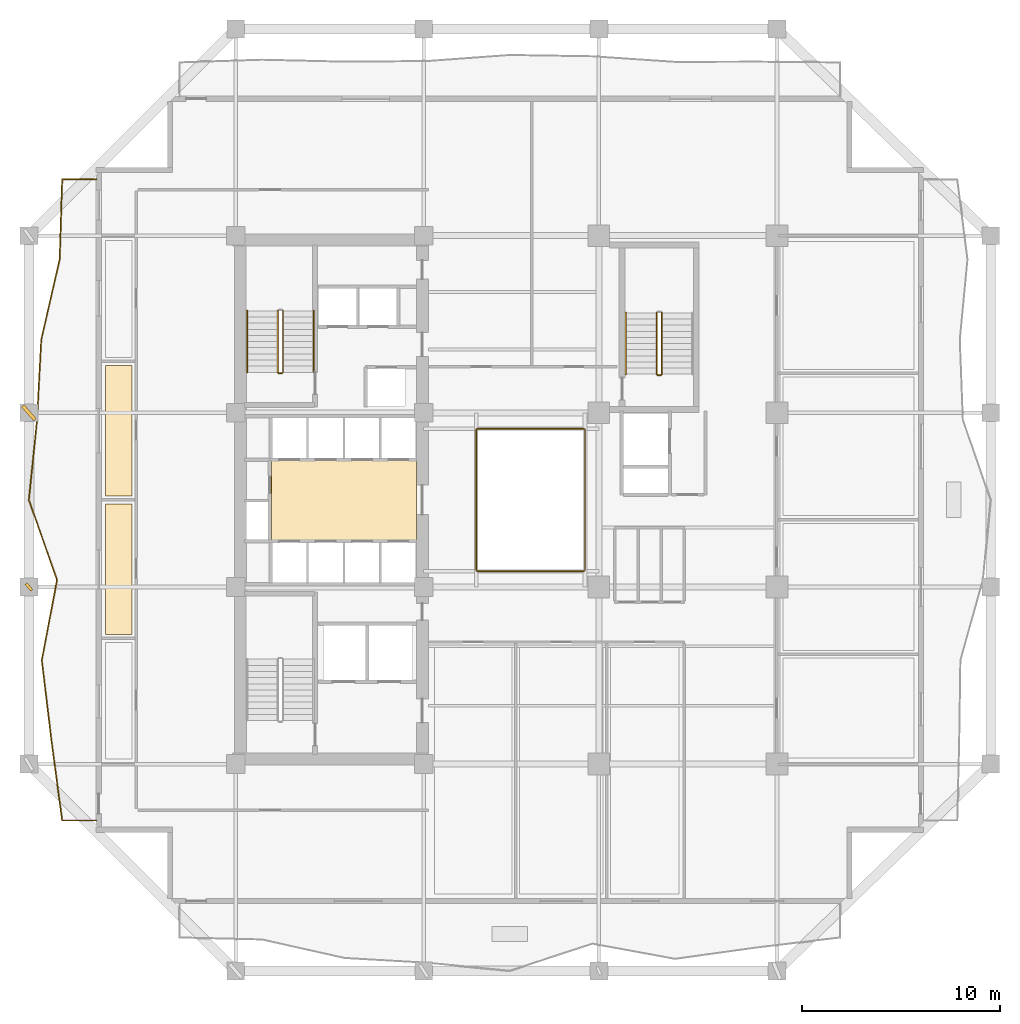
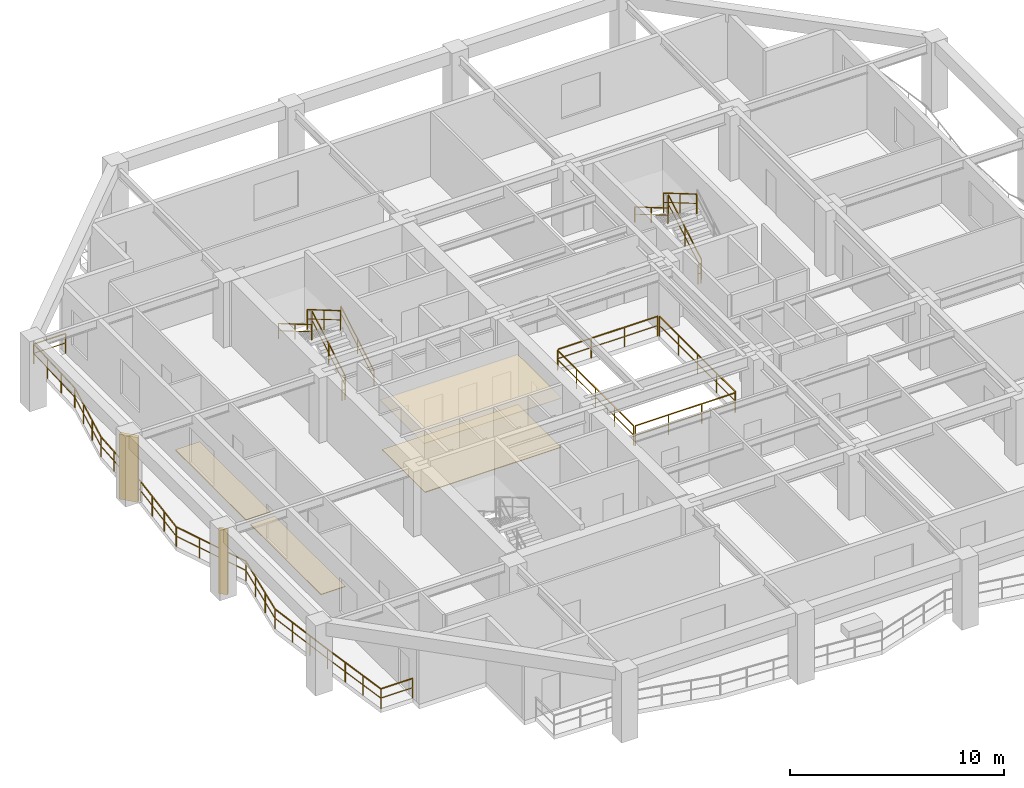
# One storey, part 8 of 11: 14 railings, 4 coverings, 2 shading devices.
"""IFC4 building model written with IfcOpenShell, lengths in metres."""

from ifc_helpers import new_model, si_unit, direction, frame, origin, origin_2d, place, context, subcontext, project, spatial, polyline, rectangle, outline, extrude, material, layer, layer_set, type_object, element, save


model = new_model("IFC4")

# Units and contexts
model_context = context("Model", 3, precision=1e-05, world=origin(), true_north=direction((0.0, 1.0)))
body_context = subcontext(model_context, "Body", "Model", "MODEL_VIEW")
ifc_project = project(units=[si_unit("LENGTHUNIT", "METRE"), si_unit("AREAUNIT", "SQUARE_METRE"), si_unit("VOLUMEUNIT", "CUBIC_METRE"), si_unit("PLANEANGLEUNIT", "RADIAN"), si_unit("MASSUNIT", "GRAM", prefix="KILO")], contexts=[model_context])

# Site, building, storey
site_placement = place(None, origin())
site = spatial("IfcSite", under=ifc_project, at=site_placement, CompositionType="ELEMENT")
building_placement = place(site_placement, origin())
building = spatial("IfcBuilding", under=site, at=building_placement, Name="Kundavana Baori Tower", CompositionType="ELEMENT")
storey_placement = place(building_placement, frame((0.0, 0.0, 90.0)))
storey = spatial("IfcBuildingStorey", under=building, at=storey_placement, Name="L21", CompositionType="ELEMENT", Elevation=90.0)

# Coverings
ifc_material_1 = material(Name="Honed Kota Stone and Terrazzo Flooring", Category="masonry")
ifc_layer_1 = layer(ifc_material_1, 0.0400390625, Name="COV-FLR-TERR-40")
ifc_layer_set_1 = layer_set([ifc_layer_1], Name="Honed Kota Stone and Terrazzo Flooring")
covering_type_1 = type_object("IfcCoveringType", Name="COV-FLR-TERR-40", PredefinedType="FLOORING", material=ifc_layer_set_1)
covering_1_placement = place(storey_placement, origin())
element("IfcCovering", 1, at=covering_1_placement, inside=storey, type_object=covering_type_1, Name="L21 Room Finished Stone Flooring 2", PredefinedType="FLOORING", context=body_context, shape_type="SweptSolid", body=[
    extrude(outline(polyline([(8.8798828125, 21.800048828125), (10.199951171875, 21.800048828125), (10.199951171875, 28.39990234375), (8.8798828125, 28.39990234375), (8.8798828125, 21.800048828125)])), origin(), (0.0, 0.0, 1.0), 0.0400390625),
])
covering_2_placement = place(storey_placement, origin())
element("IfcCovering", 2, at=covering_2_placement, inside=storey, type_object=covering_type_1, Name="L21 Room Finished Stone Flooring 3", PredefinedType="FLOORING", context=body_context, shape_type="SweptSolid", body=[
    extrude(outline(polyline([(8.8798828125, 28.800048828125), (10.199951171875, 28.800048828125), (10.199951171875, 35.39990234375), (8.8798828125, 35.39990234375), (8.8798828125, 28.800048828125)])), origin(), (0.0, 0.0, 1.0), 0.0400390625),
])
covering_3_placement = place(storey_placement, origin())
element("IfcCovering", 3, at=covering_3_placement, inside=storey, type_object=covering_type_1, Name="L21 Core Lift Lobby Kota Stone Flooring", PredefinedType="FLOORING", context=body_context, shape_type="SweptSolid", body=[
    extrude(outline(polyline([(17.25, 26.580078125), (24.580078125, 26.580078125), (24.580078125, 30.60009765625), (17.25, 30.60009765625), (17.25, 26.580078125)])), origin(), (0.0, 0.0, 1.0), 0.0400390625),
])
ifc_material_2 = material(Name="Perforated Acoustic Mineral Fibre Ceiling Board")
ifc_layer_2 = layer(ifc_material_2, 0.02490234375, Name="COV-INT-CEIL")
ifc_layer_set_2 = layer_set([ifc_layer_2], Name="Perforated Acoustic Mineral Fibre Ceiling Board")
covering_type_2 = type_object("IfcCoveringType", Name="COV-INT-CEIL", PredefinedType="CEILING", material=ifc_layer_set_2)
covering_4_placement = place(storey_placement, frame((0.0, 0.0, 2.85009765625)))
element("IfcCovering", 4, at=covering_4_placement, inside=storey, type_object=covering_type_2, Name="L21 Core Lift Lobby Acoustic Ceiling", PredefinedType="CEILING", context=body_context, shape_type="SweptSolid", body=[
    extrude(outline(polyline([(17.159912109375, 26.52001953125), (24.580078125, 26.52001953125), (24.580078125, 30.639892578125), (17.159912109375, 30.639892578125), (17.159912109375, 26.52001953125)])), origin(), (0.0, 0.0, 1.0), 0.02490234375),
])

# Railings
ifc_material_3 = material(Name="Architectural Patinated Bronze Metalwork")
railing_type_1 = type_object("IfcRailingType", Name="RL-BAL-1150", PredefinedType="BALUSTRADE", material=ifc_material_3)
railing_1_placement = place(storey_placement, frame((8.39990234375, 12.39990234375, 0.0)))
element("IfcRailing", 5, at=railing_1_placement, inside=storey, type_object=railing_type_1, Name="L21 Loggia Balcony Balustrade W", PredefinedType="BALUSTRADE", context=body_context, shape_type="SweptSolid", body=[
    extrude(rectangle(XDim=0.048095703125, YDim=0.048095703125, at=origin_2d()), frame((0.0, 0.0, 1.1259765625), z_axis=(-1.0, 0.0, 0.0), x_axis=(0.0, -1.0, 0.0)), (0.0, 0.0, 1.0), 1.719970703125),
    extrude(rectangle(XDim=0.03125, YDim=0.03125, at=origin_2d()), frame((0.0, 0.0, 0.597900390625), z_axis=(-1.0, 0.0, 0.0), x_axis=(0.0, -1.0, 0.0)), (0.0, 0.0, 1.0), 1.719970703125),
    extrude(rectangle(XDim=0.048095703125, YDim=0.048095703125, at=origin_2d()), frame((-1.719970703125, 0.0, 1.1259765625), z_axis=(-0.133110701087, 0.991101176095, 0.0), x_axis=(-0.991101176095, -0.133110701087, 0.0)), (0.0, 0.0, 1.0), 4.08642578125),
    extrude(rectangle(XDim=0.03125, YDim=0.03125, at=origin_2d()), frame((-1.719970703125, 0.0, 0.597900390625), z_axis=(-0.133110701087, 0.991101176095, 0.0), x_axis=(-0.991101176095, -0.133110701087, 0.0)), (0.0, 0.0, 1.0), 4.08642578125),
    extrude(rectangle(XDim=0.048095703125, YDim=0.048095703125, at=origin_2d()), frame((-2.263916015625, 4.050048828125, 1.1259765625), z_axis=(-0.119164101159, 0.99287457264, 0.0), x_axis=(-0.99287457264, -0.119164101159, 0.0)), (0.0, 0.0, 1.0), 4.0791015625),
    extrude(rectangle(XDim=0.03125, YDim=0.03125, at=origin_2d()), frame((-2.263916015625, 4.050048828125, 0.597900390625), z_axis=(-0.119164101159, 0.99287457264, 0.0), x_axis=(-0.99287457264, -0.119164101159, 0.0)), (0.0, 0.0, 1.0), 4.0791015625),
    extrude(rectangle(XDim=0.048095703125, YDim=0.048095703125, at=origin_2d()), frame((-2.75, 8.10009765625, 1.1259765625), z_axis=(0.186780101974, 0.982401747508, 0.0), x_axis=(-0.982401747508, 0.186780101974, 0.0)), (0.0, 0.0, 1.0), 4.12255859375),
    extrude(rectangle(XDim=0.03125, YDim=0.03125, at=origin_2d()), frame((-2.75, 8.10009765625, 0.597900390625), z_axis=(0.186780101974, 0.982401747508, 0.0), x_axis=(-0.982401747508, 0.186780101974, 0.0)), (0.0, 0.0, 1.0), 4.12255859375),
    extrude(rectangle(XDim=0.048095703125, YDim=0.048095703125, at=origin_2d()), frame((-1.97998046875, 12.150146484375, 1.1259765625), z_axis=(-0.330849557222, 0.943683511823, 0.0), x_axis=(-0.943683511823, -0.330849557222, 0.0)), (0.0, 0.0, 1.0), 4.291748046875),
    extrude(rectangle(XDim=0.03125, YDim=0.03125, at=origin_2d()), frame((-1.97998046875, 12.150146484375, 0.597900390625), z_axis=(-0.330849557222, 0.943683511823, 0.0), x_axis=(-0.943683511823, -0.330849557222, 0.0)), (0.0, 0.0, 1.0), 4.291748046875),
    extrude(rectangle(XDim=0.048095703125, YDim=0.048095703125, at=origin_2d()), frame((-3.39990234375, 16.2001953125, 1.1259765625), z_axis=(0.100703208459, 0.994916510973, 0.0), x_axis=(-0.994916510973, 0.100703208459, 0.0)), (0.0, 0.0, 1.0), 4.070556640625),
    extrude(rectangle(XDim=0.03125, YDim=0.03125, at=origin_2d()), frame((-3.39990234375, 16.2001953125, 0.597900390625), z_axis=(0.100703208459, 0.994916510973, 0.0), x_axis=(-0.994916510973, 0.100703208459, 0.0)), (0.0, 0.0, 1.0), 4.070556640625),
    extrude(rectangle(XDim=0.048095703125, YDim=0.048095703125, at=origin_2d()), frame((-2.989990234375, 20.25, 1.1259765625), z_axis=(0.052072244988, 0.998643320361, 0.0), x_axis=(-0.998643320361, 0.052072244988, 0.0)), (0.0, 0.0, 1.0), 4.0556640625),
    extrude(rectangle(XDim=0.03125, YDim=0.03125, at=origin_2d()), frame((-2.989990234375, 20.25, 0.597900390625), z_axis=(0.052072244988, 0.998643320361, 0.0), x_axis=(-0.998643320361, 0.052072244988, 0.0)), (0.0, 0.0, 1.0), 4.0556640625),
    extrude(rectangle(XDim=0.048095703125, YDim=0.048095703125, at=origin_2d()), frame((-2.77880859375, 24.300048828125, 1.1259765625), z_axis=(0.224233057443, 0.974535548838, 0.0), x_axis=(-0.974535548838, 0.224233057443, 0.0)), (0.0, 0.0, 1.0), 4.15576171875),
    extrude(rectangle(XDim=0.03125, YDim=0.03125, at=origin_2d()), frame((-2.77880859375, 24.300048828125, 0.597900390625), z_axis=(0.224233057443, 0.974535548838, 0.0), x_axis=(-0.974535548838, 0.224233057443, 0.0)), (0.0, 0.0, 1.0), 4.15576171875),
    extrude(rectangle(XDim=0.048095703125, YDim=0.048095703125, at=origin_2d()), frame((-1.846923828125, 28.35009765625, 1.1259765625), z_axis=(0.031330684085, 0.999509073613, 0.0), x_axis=(-0.999509073613, 0.031330684085, 0.0)), (0.0, 0.0, 1.0), 4.052001953125),
    extrude(rectangle(XDim=0.03125, YDim=0.03125, at=origin_2d()), frame((-1.846923828125, 28.35009765625, 0.597900390625), z_axis=(0.031330684085, 0.999509073613, 0.0), x_axis=(-0.999509073613, 0.031330684085, 0.0)), (0.0, 0.0, 1.0), 4.052001953125),
    extrude(rectangle(XDim=0.048095703125, YDim=0.048095703125, at=origin_2d()), frame((-1.719970703125, 32.400146484375, 1.1259765625), z_axis=(1.0, 0.0, 0.0), x_axis=(0.0, 1.0, 0.0)), (0.0, 0.0, 1.0), 1.719970703125),
    extrude(rectangle(XDim=0.03125, YDim=0.03125, at=origin_2d()), frame((-1.719970703125, 32.400146484375, 0.597900390625), z_axis=(1.0, 0.0, 0.0), x_axis=(0.0, 1.0, 0.0)), (0.0, 0.0, 1.0), 1.719970703125),
    extrude(rectangle(XDim=0.0419921875, YDim=0.0419921875, at=origin_2d()), origin(), (0.0, 0.0, 1.0), 1.101806640625),
    extrude(rectangle(XDim=0.0419921875, YDim=0.0419921875, at=origin_2d()), frame((-1.719970703125, 0.0, 0.0)), (0.0, 0.0, 1.0), 1.101806640625),
    extrude(rectangle(XDim=0.0419921875, YDim=0.0419921875, at=origin_2d()), frame((-1.9013671875, 1.35009765625, 0.0)), (0.0, 0.0, 1.0), 1.101806640625),
    extrude(rectangle(XDim=0.0419921875, YDim=0.0419921875, at=origin_2d()), frame((-2.08251953125, 2.699951171875, 0.0)), (0.0, 0.0, 1.0), 1.101806640625),
    extrude(rectangle(XDim=0.0419921875, YDim=0.0419921875, at=origin_2d()), frame((-2.263916015625, 4.050048828125, 0.0)), (0.0, 0.0, 1.0), 1.101806640625),
    extrude(rectangle(XDim=0.0419921875, YDim=0.0419921875, at=origin_2d()), frame((-2.426025390625, 5.400146484375, 0.0)), (0.0, 0.0, 1.0), 1.101806640625),
    extrude(rectangle(XDim=0.0419921875, YDim=0.0419921875, at=origin_2d()), frame((-2.587890625, 6.75, 0.0)), (0.0, 0.0, 1.0), 1.101806640625),
    extrude(rectangle(XDim=0.0419921875, YDim=0.0419921875, at=origin_2d()), frame((-2.75, 8.10009765625, 0.0)), (0.0, 0.0, 1.0), 1.101806640625),
    extrude(rectangle(XDim=0.0419921875, YDim=0.0419921875, at=origin_2d()), frame((-2.493408203125, 9.4501953125, 0.0)), (0.0, 0.0, 1.0), 1.101806640625),
    extrude(rectangle(XDim=0.0419921875, YDim=0.0419921875, at=origin_2d()), frame((-2.236572265625, 10.800048828125, 0.0)), (0.0, 0.0, 1.0), 1.101806640625),
    extrude(rectangle(XDim=0.0419921875, YDim=0.0419921875, at=origin_2d()), frame((-1.97998046875, 12.150146484375, 0.0)), (0.0, 0.0, 1.0), 1.101806640625),
    extrude(rectangle(XDim=0.0419921875, YDim=0.0419921875, at=origin_2d()), frame((-2.453369140625, 13.500244140625, 0.0)), (0.0, 0.0, 1.0), 1.101806640625),
    extrude(rectangle(XDim=0.0419921875, YDim=0.0419921875, at=origin_2d()), frame((-2.926513671875, 14.85009765625, 0.0)), (0.0, 0.0, 1.0), 1.101806640625),
    extrude(rectangle(XDim=0.0419921875, YDim=0.0419921875, at=origin_2d()), frame((-3.39990234375, 16.2001953125, 0.0)), (0.0, 0.0, 1.0), 1.101806640625),
    extrude(rectangle(XDim=0.0419921875, YDim=0.0419921875, at=origin_2d()), frame((-3.26318359375, 17.550048828125, 0.0)), (0.0, 0.0, 1.0), 1.101806640625),
    extrude(rectangle(XDim=0.0419921875, YDim=0.0419921875, at=origin_2d()), frame((-3.126708984375, 18.900146484375, 0.0)), (0.0, 0.0, 1.0), 1.101806640625),
    extrude(rectangle(XDim=0.0419921875, YDim=0.0419921875, at=origin_2d()), frame((-2.989990234375, 20.25, 0.0)), (0.0, 0.0, 1.0), 1.101806640625),
    extrude(rectangle(XDim=0.0419921875, YDim=0.0419921875, at=origin_2d()), frame((-2.919677734375, 21.60009765625, 0.0)), (0.0, 0.0, 1.0), 1.101806640625),
    extrude(rectangle(XDim=0.0419921875, YDim=0.0419921875, at=origin_2d()), frame((-2.84912109375, 22.949951171875, 0.0)), (0.0, 0.0, 1.0), 1.101806640625),
    extrude(rectangle(XDim=0.0419921875, YDim=0.0419921875, at=origin_2d()), frame((-2.77880859375, 24.300048828125, 0.0)), (0.0, 0.0, 1.0), 1.101806640625),
    extrude(rectangle(XDim=0.0419921875, YDim=0.0419921875, at=origin_2d()), frame((-2.46826171875, 25.650146484375, 0.0)), (0.0, 0.0, 1.0), 1.101806640625),
    extrude(rectangle(XDim=0.0419921875, YDim=0.0419921875, at=origin_2d()), frame((-2.157470703125, 27.0, 0.0)), (0.0, 0.0, 1.0), 1.101806640625),
    extrude(rectangle(XDim=0.0419921875, YDim=0.0419921875, at=origin_2d()), frame((-1.846923828125, 28.35009765625, 0.0)), (0.0, 0.0, 1.0), 1.101806640625),
    extrude(rectangle(XDim=0.0419921875, YDim=0.0419921875, at=origin_2d()), frame((-1.8046875, 29.7001953125, 0.0)), (0.0, 0.0, 1.0), 1.101806640625),
    extrude(rectangle(XDim=0.0419921875, YDim=0.0419921875, at=origin_2d()), frame((-1.76220703125, 31.050048828125, 0.0)), (0.0, 0.0, 1.0), 1.101806640625),
    extrude(rectangle(XDim=0.0419921875, YDim=0.0419921875, at=origin_2d()), frame((-1.719970703125, 32.400146484375, 0.0)), (0.0, 0.0, 1.0), 1.101806640625),
    extrude(rectangle(XDim=0.0419921875, YDim=0.0419921875, at=origin_2d()), frame((0.0, 32.400146484375, 0.0)), (0.0, 0.0, 1.0), 1.101806640625),
])
ifc_material_4 = material(Name="Architectural Patinated Bronze Metalwork")
railing_type_2 = type_object("IfcRailingType", Name="RL-GRD-1150", PredefinedType="GUARDRAIL", material=ifc_material_4)
railing_2_placement = place(storey_placement, frame((17.840087890625, 35.050048828125, 0.181884765625)))
element("IfcRailing", 6, at=railing_2_placement, inside=storey, type_object=railing_type_2, Name="L21 ST2 stair guard 1", PredefinedType="GUARDRAIL", context=body_context, shape_type="SweptSolid", body=[
    extrude(rectangle(XDim=0.048095703125, YDim=0.048095703125, at=origin_2d()), frame((0.0, 0.0, 1.1259765625), z_axis=(0.0, 0.86258143422, 0.50591824373), x_axis=(-1.0, 0.0, 0.0)), (0.0, 0.0, 1.0), 3.59375),
    extrude(rectangle(XDim=0.03125, YDim=0.03125, at=origin_2d()), frame((0.0, 0.0, 0.597900390625), z_axis=(0.0, 0.86258143422, 0.50591824373), x_axis=(-1.0, 0.0, 0.0)), (0.0, 0.0, 1.0), 3.59375),
    extrude(rectangle(XDim=0.0419921875, YDim=0.0419921875, at=origin_2d()), origin(), (0.0, 0.0, 1.0), 1.101806640625),
    extrude(rectangle(XDim=0.0419921875, YDim=0.0419921875, at=origin_2d()), frame((0.0, 1.5498046875, 0.9091796875)), (0.0, 0.0, 1.0), 1.101806640625),
    extrude(rectangle(XDim=0.0419921875, YDim=0.0419921875, at=origin_2d()), frame((0.0, 3.099853515625, 1.818115234375)), (0.0, 0.0, 1.0), 1.101806640625),
])
railing_3_placement = place(storey_placement, frame((17.580078125, 38.14990234375, 2.181884765625)))
element("IfcRailing", 7, at=railing_3_placement, inside=storey, type_object=railing_type_2, Name="L21 ST2 stair guard 3", PredefinedType="GUARDRAIL", context=body_context, shape_type="SweptSolid", body=[
    extrude(rectangle(XDim=0.048095703125, YDim=0.048095703125, at=origin_2d()), frame((0.0, 0.0, 1.1259765625), z_axis=(0.0, -0.86258143422, 0.50591824373), x_axis=(1.0, 0.0, 0.0)), (0.0, 0.0, 1.0), 3.59375),
    extrude(rectangle(XDim=0.03125, YDim=0.03125, at=origin_2d()), frame((0.0, 0.0, 0.597900390625), z_axis=(0.0, -0.86258143422, 0.50591824373), x_axis=(1.0, 0.0, 0.0)), (0.0, 0.0, 1.0), 3.59375),
    extrude(rectangle(XDim=0.0419921875, YDim=0.0419921875, at=origin_2d()), origin(), (0.0, 0.0, 1.0), 1.101806640625),
    extrude(rectangle(XDim=0.0419921875, YDim=0.0419921875, at=origin_2d()), frame((0.0, -1.5498046875, 0.9091796875)), (0.0, 0.0, 1.0), 1.101806640625),
    extrude(rectangle(XDim=0.0419921875, YDim=0.0419921875, at=origin_2d()), frame((0.0, -3.099853515625, 1.818115234375)), (0.0, 0.0, 1.0), 1.101806640625),
])
railing_4_placement = place(storey_placement, frame((17.7900390625, 35.0, 0.0)))
element("IfcRailing", 8, at=railing_4_placement, inside=storey, type_object=railing_type_2, Name="L21 ST2 stair guard 4", PredefinedType="GUARDRAIL", context=body_context, shape_type="SweptSolid", body=[
    extrude(rectangle(XDim=0.048095703125, YDim=0.048095703125, at=origin_2d()), frame((0.0, 0.0, 1.1259765625), z_axis=(-1.0, 0.0, 0.0), x_axis=(0.0, -1.0, 0.0)), (0.0, 0.0, 1.0), 0.16015625),
    extrude(rectangle(XDim=0.03125, YDim=0.03125, at=origin_2d()), frame((0.0, 0.0, 0.597900390625), z_axis=(-1.0, 0.0, 0.0), x_axis=(0.0, -1.0, 0.0)), (0.0, 0.0, 1.0), 0.16015625),
    extrude(rectangle(XDim=0.0419921875, YDim=0.0419921875, at=origin_2d()), origin(), (0.0, 0.0, 1.0), 1.101806640625),
    extrude(rectangle(XDim=0.0419921875, YDim=0.0419921875, at=origin_2d()), frame((-0.16015625, 0.0, 0.0)), (0.0, 0.0, 1.0), 1.101806640625),
])
railing_5_placement = place(storey_placement, frame((36.97998046875, 34.949951171875, 0.181884765625)))
element("IfcRailing", 9, at=railing_5_placement, inside=storey, type_object=railing_type_2, Name="L21 ST3 stair guard 1", PredefinedType="GUARDRAIL", context=body_context, shape_type="SweptSolid", body=[
    extrude(rectangle(XDim=0.048095703125, YDim=0.048095703125, at=origin_2d()), frame((0.0, 0.0, 1.1259765625), z_axis=(0.0, 0.862598821094, 0.505888598258), x_axis=(-1.0, 0.0, 0.0)), (0.0, 0.0, 1.0), 3.593994140625),
    extrude(rectangle(XDim=0.03125, YDim=0.03125, at=origin_2d()), frame((0.0, 0.0, 0.597900390625), z_axis=(0.0, 0.862598821094, 0.505888598258), x_axis=(-1.0, 0.0, 0.0)), (0.0, 0.0, 1.0), 3.593994140625),
    extrude(rectangle(XDim=0.0419921875, YDim=0.0419921875, at=origin_2d()), origin(), (0.0, 0.0, 1.0), 1.101806640625),
    extrude(rectangle(XDim=0.0419921875, YDim=0.0419921875, at=origin_2d()), frame((0.0, 1.550048828125, 0.9091796875)), (0.0, 0.0, 1.0), 1.101806640625),
    extrude(rectangle(XDim=0.0419921875, YDim=0.0419921875, at=origin_2d()), frame((0.0, 3.10009765625, 1.818115234375)), (0.0, 0.0, 1.0), 1.101806640625),
])
railing_6_placement = place(storey_placement, frame((36.719970703125, 38.050048828125, 2.181884765625)))
element("IfcRailing", 10, at=railing_6_placement, inside=storey, type_object=railing_type_2, Name="L21 ST3 stair guard 3", PredefinedType="GUARDRAIL", context=body_context, shape_type="SweptSolid", body=[
    extrude(rectangle(XDim=0.048095703125, YDim=0.048095703125, at=origin_2d()), frame((0.0, 0.0, 1.1259765625), z_axis=(0.0, -0.862598821094, 0.505888598258), x_axis=(1.0, 0.0, 0.0)), (0.0, 0.0, 1.0), 3.593994140625),
    extrude(rectangle(XDim=0.03125, YDim=0.03125, at=origin_2d()), frame((0.0, 0.0, 0.597900390625), z_axis=(0.0, -0.862598821094, 0.505888598258), x_axis=(1.0, 0.0, 0.0)), (0.0, 0.0, 1.0), 3.593994140625),
    extrude(rectangle(XDim=0.0419921875, YDim=0.0419921875, at=origin_2d()), origin(), (0.0, 0.0, 1.0), 1.101806640625),
    extrude(rectangle(XDim=0.0419921875, YDim=0.0419921875, at=origin_2d()), frame((0.0, -1.550048828125, 0.9091796875)), (0.0, 0.0, 1.0), 1.101806640625),
    extrude(rectangle(XDim=0.0419921875, YDim=0.0419921875, at=origin_2d()), frame((0.0, -3.10009765625, 1.818115234375)), (0.0, 0.0, 1.0), 1.101806640625),
])
railing_7_placement = place(storey_placement, frame((36.929931640625, 34.89990234375, 0.0)))
element("IfcRailing", 11, at=railing_7_placement, inside=storey, type_object=railing_type_2, Name="L21 ST3 stair guard 4", PredefinedType="GUARDRAIL", context=body_context, shape_type="SweptSolid", body=[
    extrude(rectangle(XDim=0.048095703125, YDim=0.048095703125, at=origin_2d()), frame((0.0, 0.0, 1.1259765625), z_axis=(-1.0, 0.0, 0.0), x_axis=(0.0, -1.0, 0.0)), (0.0, 0.0, 1.0), 0.159912109375),
    extrude(rectangle(XDim=0.03125, YDim=0.03125, at=origin_2d()), frame((0.0, 0.0, 0.597900390625), z_axis=(-1.0, 0.0, 0.0), x_axis=(0.0, -1.0, 0.0)), (0.0, 0.0, 1.0), 0.159912109375),
    extrude(rectangle(XDim=0.0419921875, YDim=0.0419921875, at=origin_2d()), origin(), (0.0, 0.0, 1.0), 1.101806640625),
    extrude(rectangle(XDim=0.0419921875, YDim=0.0419921875, at=origin_2d()), frame((-0.159912109375, 0.0, 0.0)), (0.0, 0.0, 1.0), 1.101806640625),
])
railing_8_placement = place(storey_placement, frame((27.659912109375, 25.0, 0.0)))
element("IfcRailing", 12, at=railing_8_placement, inside=storey, type_object=railing_type_2, Name="L21 Atrium Void Perimeter Guardrail S", PredefinedType="GUARDRAIL", context=body_context, shape_type="SweptSolid", body=[
    extrude(rectangle(XDim=0.048095703125, YDim=0.048095703125, at=origin_2d()), frame((0.0, 0.0, 1.1259765625), z_axis=(1.0, 0.0, 0.0), x_axis=(0.0, 1.0, 0.0)), (0.0, 0.0, 1.0), 5.380126953125),
    extrude(rectangle(XDim=0.03125, YDim=0.03125, at=origin_2d()), frame((0.0, 0.0, 0.597900390625), z_axis=(1.0, 0.0, 0.0), x_axis=(0.0, 1.0, 0.0)), (0.0, 0.0, 1.0), 5.380126953125),
    extrude(rectangle(XDim=0.0419921875, YDim=0.0419921875, at=origin_2d()), origin(), (0.0, 0.0, 1.0), 1.101806640625),
    extrude(rectangle(XDim=0.0419921875, YDim=0.0419921875, at=origin_2d()), frame((1.79345703125, 0.0, 0.0)), (0.0, 0.0, 1.0), 1.101806640625),
    extrude(rectangle(XDim=0.0419921875, YDim=0.0419921875, at=origin_2d()), frame((3.586669921875, 0.0, 0.0)), (0.0, 0.0, 1.0), 1.101806640625),
    extrude(rectangle(XDim=0.0419921875, YDim=0.0419921875, at=origin_2d()), frame((5.380126953125, 0.0, 0.0)), (0.0, 0.0, 1.0), 1.101806640625),
])
railing_9_placement = place(storey_placement, frame((33.10009765625, 25.06005859375, 0.0)))
element("IfcRailing", 13, at=railing_9_placement, inside=storey, type_object=railing_type_2, Name="L21 Atrium Void Perimeter Guardrail E", PredefinedType="GUARDRAIL", context=body_context, shape_type="SweptSolid", body=[
    extrude(rectangle(XDim=0.048095703125, YDim=0.048095703125, at=origin_2d()), frame((0.0, 0.0, 1.1259765625), z_axis=(0.0, 1.0, 0.0), x_axis=(-1.0, 0.0, 0.0)), (0.0, 0.0, 1.0), 7.079833984375),
    extrude(rectangle(XDim=0.03125, YDim=0.03125, at=origin_2d()), frame((0.0, 0.0, 0.597900390625), z_axis=(0.0, 1.0, 0.0), x_axis=(-1.0, 0.0, 0.0)), (0.0, 0.0, 1.0), 7.079833984375),
    extrude(rectangle(XDim=0.0419921875, YDim=0.0419921875, at=origin_2d()), origin(), (0.0, 0.0, 1.0), 1.101806640625),
    extrude(rectangle(XDim=0.0419921875, YDim=0.0419921875, at=origin_2d()), frame((0.0, 1.77001953125, 0.0)), (0.0, 0.0, 1.0), 1.101806640625),
    extrude(rectangle(XDim=0.0419921875, YDim=0.0419921875, at=origin_2d()), frame((0.0, 3.5400390625, 0.0)), (0.0, 0.0, 1.0), 1.101806640625),
    extrude(rectangle(XDim=0.0419921875, YDim=0.0419921875, at=origin_2d()), frame((0.0, 5.309814453125, 0.0)), (0.0, 0.0, 1.0), 1.101806640625),
    extrude(rectangle(XDim=0.0419921875, YDim=0.0419921875, at=origin_2d()), frame((0.0, 7.079833984375, 0.0)), (0.0, 0.0, 1.0), 1.101806640625),
])
railing_10_placement = place(storey_placement, frame((33.0400390625, 32.199951171875, 0.0)))
element("IfcRailing", 14, at=railing_10_placement, inside=storey, type_object=railing_type_2, Name="L21 Atrium Void Perimeter Guardrail N", PredefinedType="GUARDRAIL", context=body_context, shape_type="SweptSolid", body=[
    extrude(rectangle(XDim=0.048095703125, YDim=0.048095703125, at=origin_2d()), frame((0.0, 0.0, 1.1259765625), z_axis=(-1.0, 0.0, 0.0), x_axis=(0.0, -1.0, 0.0)), (0.0, 0.0, 1.0), 5.380126953125),
    extrude(rectangle(XDim=0.03125, YDim=0.03125, at=origin_2d()), frame((0.0, 0.0, 0.597900390625), z_axis=(-1.0, 0.0, 0.0), x_axis=(0.0, -1.0, 0.0)), (0.0, 0.0, 1.0), 5.380126953125),
    extrude(rectangle(XDim=0.0419921875, YDim=0.0419921875, at=origin_2d()), origin(), (0.0, 0.0, 1.0), 1.101806640625),
    extrude(rectangle(XDim=0.0419921875, YDim=0.0419921875, at=origin_2d()), frame((-1.79345703125, 0.0, 0.0)), (0.0, 0.0, 1.0), 1.101806640625),
    extrude(rectangle(XDim=0.0419921875, YDim=0.0419921875, at=origin_2d()), frame((-3.586669921875, 0.0, 0.0)), (0.0, 0.0, 1.0), 1.101806640625),
    extrude(rectangle(XDim=0.0419921875, YDim=0.0419921875, at=origin_2d()), frame((-5.380126953125, 0.0, 0.0)), (0.0, 0.0, 1.0), 1.101806640625),
])
railing_11_placement = place(storey_placement, frame((27.60009765625, 32.139892578125, 0.0)))
element("IfcRailing", 15, at=railing_11_placement, inside=storey, type_object=railing_type_2, Name="L21 Atrium Void Perimeter Guardrail W", PredefinedType="GUARDRAIL", context=body_context, shape_type="SweptSolid", body=[
    extrude(rectangle(XDim=0.048095703125, YDim=0.048095703125, at=origin_2d()), frame((0.0, 0.0, 1.1259765625), z_axis=(0.0, -1.0, 0.0), x_axis=(1.0, 0.0, 0.0)), (0.0, 0.0, 1.0), 7.079833984375),
    extrude(rectangle(XDim=0.03125, YDim=0.03125, at=origin_2d()), frame((0.0, 0.0, 0.597900390625), z_axis=(0.0, -1.0, 0.0), x_axis=(1.0, 0.0, 0.0)), (0.0, 0.0, 1.0), 7.079833984375),
    extrude(rectangle(XDim=0.0419921875, YDim=0.0419921875, at=origin_2d()), origin(), (0.0, 0.0, 1.0), 1.101806640625),
    extrude(rectangle(XDim=0.0419921875, YDim=0.0419921875, at=origin_2d()), frame((0.0, -1.77001953125, 0.0)), (0.0, 0.0, 1.0), 1.101806640625),
    extrude(rectangle(XDim=0.0419921875, YDim=0.0419921875, at=origin_2d()), frame((0.0, -3.5400390625, 0.0)), (0.0, 0.0, 1.0), 1.101806640625),
    extrude(rectangle(XDim=0.0419921875, YDim=0.0419921875, at=origin_2d()), frame((0.0, -5.309814453125, 0.0)), (0.0, 0.0, 1.0), 1.101806640625),
    extrude(rectangle(XDim=0.0419921875, YDim=0.0419921875, at=origin_2d()), frame((0.0, -7.079833984375, 0.0)), (0.0, 0.0, 1.0), 1.101806640625),
])
ifc_material_5 = material(Name="Architectural Patinated Bronze Metalwork")
railing_type_3 = type_object("IfcRailingType", Name="RL-HND-920", PredefinedType="HANDRAIL", material=ifc_material_5)
railing_12_placement = place(storey_placement, frame((19.389892578125, 35.050048828125, 0.181884765625)))
element("IfcRailing", 16, at=railing_12_placement, inside=storey, type_object=railing_type_3, Name="L21 ST2 stair handrail 1", PredefinedType="HANDRAIL", context=body_context, shape_type="SweptSolid", body=[
    extrude(rectangle(XDim=0.048095703125, YDim=0.048095703125, at=origin_2d()), frame((0.0, 0.0, 0.8759765625), z_axis=(0.0, 0.86258143422, 0.50591824373), x_axis=(-1.0, 0.0, 0.0)), (0.0, 0.0, 1.0), 3.59375),
    extrude(rectangle(XDim=0.03125, YDim=0.03125, at=origin_2d()), frame((0.0, 0.0, 0.468017578125), z_axis=(0.0, 0.86258143422, 0.50591824373), x_axis=(-1.0, 0.0, 0.0)), (0.0, 0.0, 1.0), 3.59375),
    extrude(rectangle(XDim=0.0419921875, YDim=0.0419921875, at=origin_2d()), origin(), (0.0, 0.0, 1.0), 0.851806640625),
    extrude(rectangle(XDim=0.0419921875, YDim=0.0419921875, at=origin_2d()), frame((0.0, 1.5498046875, 0.9091796875)), (0.0, 0.0, 1.0), 0.851806640625),
    extrude(rectangle(XDim=0.0419921875, YDim=0.0419921875, at=origin_2d()), frame((0.0, 3.099853515625, 1.818115234375)), (0.0, 0.0, 1.0), 0.851806640625),
])
railing_13_placement = place(storey_placement, frame((16.030029296875, 38.14990234375, 2.181884765625)))
element("IfcRailing", 17, at=railing_13_placement, inside=storey, type_object=railing_type_3, Name="L21 ST2 stair handrail 2", PredefinedType="HANDRAIL", context=body_context, shape_type="SweptSolid", body=[
    extrude(rectangle(XDim=0.048095703125, YDim=0.048095703125, at=origin_2d()), frame((0.0, 0.0, 0.8759765625), z_axis=(0.0, -0.86258143422, 0.50591824373), x_axis=(1.0, 0.0, 0.0)), (0.0, 0.0, 1.0), 3.59375),
    extrude(rectangle(XDim=0.03125, YDim=0.03125, at=origin_2d()), frame((0.0, 0.0, 0.468017578125), z_axis=(0.0, -0.86258143422, 0.50591824373), x_axis=(1.0, 0.0, 0.0)), (0.0, 0.0, 1.0), 3.59375),
    extrude(rectangle(XDim=0.0419921875, YDim=0.0419921875, at=origin_2d()), origin(), (0.0, 0.0, 1.0), 0.851806640625),
    extrude(rectangle(XDim=0.0419921875, YDim=0.0419921875, at=origin_2d()), frame((0.0, -1.5498046875, 0.9091796875)), (0.0, 0.0, 1.0), 0.851806640625),
    extrude(rectangle(XDim=0.0419921875, YDim=0.0419921875, at=origin_2d()), frame((0.0, -3.099853515625, 1.818115234375)), (0.0, 0.0, 1.0), 0.851806640625),
])
railing_14_placement = place(storey_placement, frame((35.169921875, 38.050048828125, 2.181884765625)))
element("IfcRailing", 18, at=railing_14_placement, inside=storey, type_object=railing_type_3, Name="L21 ST3 stair handrail 2", PredefinedType="HANDRAIL", context=body_context, shape_type="SweptSolid", body=[
    extrude(rectangle(XDim=0.048095703125, YDim=0.048095703125, at=origin_2d()), frame((0.0, 0.0, 0.8759765625), z_axis=(0.0, -0.862598821094, 0.505888598258), x_axis=(1.0, 0.0, 0.0)), (0.0, 0.0, 1.0), 3.593994140625),
    extrude(rectangle(XDim=0.03125, YDim=0.03125, at=origin_2d()), frame((0.0, 0.0, 0.468017578125), z_axis=(0.0, -0.862598821094, 0.505888598258), x_axis=(1.0, 0.0, 0.0)), (0.0, 0.0, 1.0), 3.593994140625),
    extrude(rectangle(XDim=0.0419921875, YDim=0.0419921875, at=origin_2d()), origin(), (0.0, 0.0, 1.0), 0.851806640625),
    extrude(rectangle(XDim=0.0419921875, YDim=0.0419921875, at=origin_2d()), frame((0.0, -1.550048828125, 0.9091796875)), (0.0, 0.0, 1.0), 0.851806640625),
    extrude(rectangle(XDim=0.0419921875, YDim=0.0419921875, at=origin_2d()), frame((0.0, -3.10009765625, 1.818115234375)), (0.0, 0.0, 1.0), 0.851806640625),
])

# Shading devices
ifc_material_6 = material(Name="Red-Buff Dholpur Sandstone Cladding on Concrete C40/50", Category="masonry")
shading_device_type_1 = type_object("IfcShadingDeviceType", Name="SHD-FIN-920", PredefinedType="JALOUSIE", material=ifc_material_6)
shading_device_1_placement = place(storey_placement, frame((5.0, 33.0, 0.0), z_axis=(0.0, 0.0, 1.0), x_axis=(0.745824893064, 0.66614204858, 0.0)))
element("IfcShadingDevice", 19, at=shading_device_1_placement, inside=storey, type_object=shading_device_type_1, Name="L21 Sweeping Dholpur Sandstone Facade Fin 7", PredefinedType="JALOUSIE", context=body_context, shape_type="SweptSolid", body=[
    extrude(rectangle(XDim=0.179931640625, YDim=0.919921875, at=origin_2d()), origin(), (0.0, 0.0, 1.0), 3.699951171875),
])
ifc_material_7 = material(Name="Architectural Patinated Bronze Metalwork")
shading_device_type_2 = type_object("IfcShadingDeviceType", Name="SHD-LOUV-450", PredefinedType="SHUTTER", material=ifc_material_7)
shading_device_2_placement = place(storey_placement, frame((5.0, 24.199951171875, 0.0), z_axis=(0.0, 0.0, 1.0), x_axis=(0.776486512687, 0.630133871185, 0.0)))
element("IfcShadingDevice", 20, at=shading_device_2_placement, inside=storey, type_object=shading_device_type_2, Name="L21 Sweeping Dholpur Sandstone Facade Fin 6", PredefinedType="SHUTTER", context=body_context, shape_type="SweptSolid", body=[
    extrude(rectangle(XDim=0.139892578125, YDim=0.449951171875, at=origin_2d()), origin(), (0.0, 0.0, 1.0), 3.699951171875),
])

save(model, "model.ifc")
